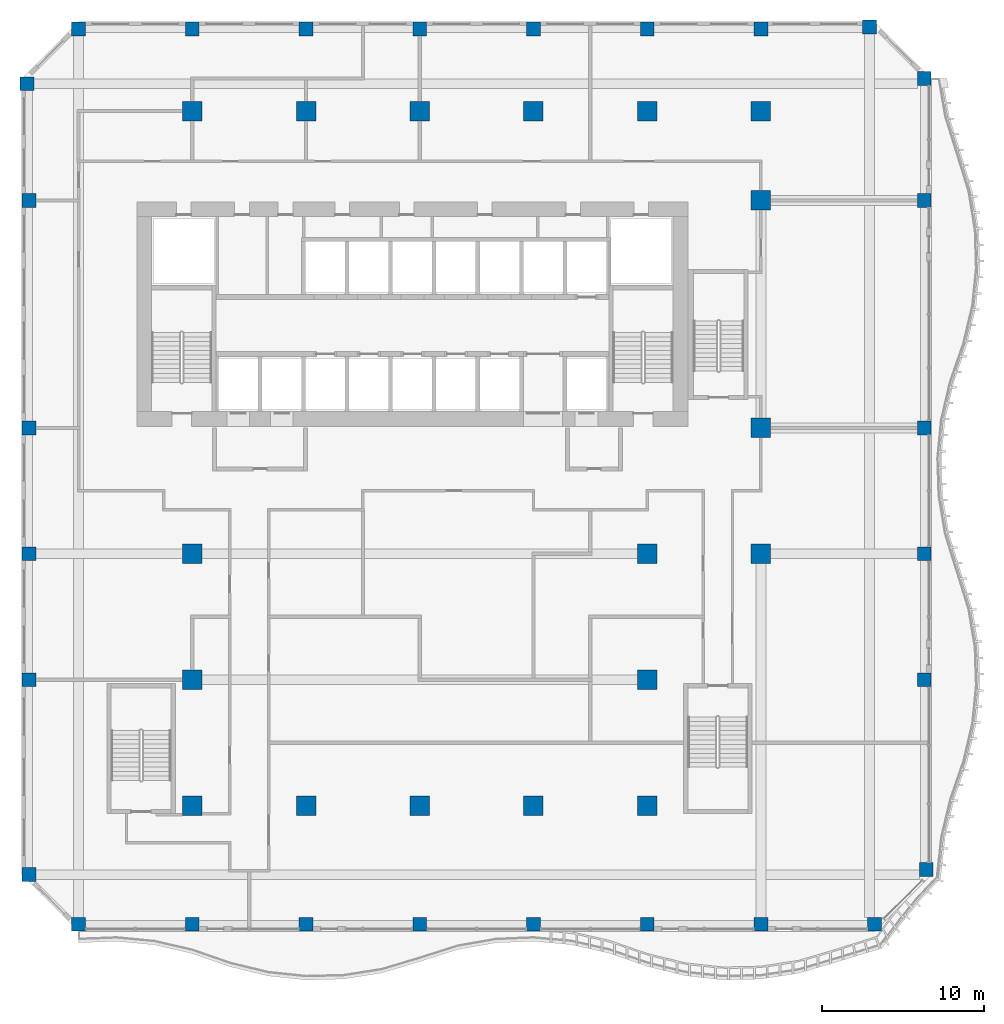
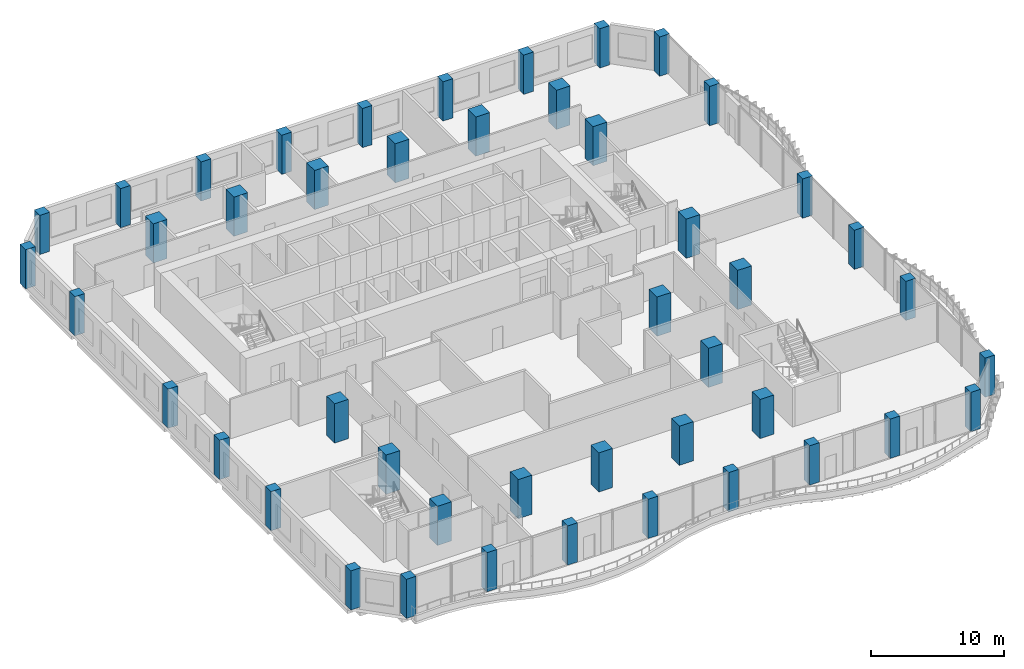
# One storey, part 1 of 19: 46 columns.
"""IFC4 building model written with IfcOpenShell, lengths in metres."""

from ifc_helpers import new_model, si_unit, direction, frame, origin, origin_2d, place, context, subcontext, project, spatial, rectangle, extrude, source, transform, mapped, material, material_profile, profile_set, type_object, element, save


model = new_model("IFC4")

# Units and contexts
model_context = context("Model", 3, precision=1e-05, world=origin(), true_north=direction((0.0, 1.0)))
body_context = subcontext(model_context, "Body", "Model", "MODEL_VIEW")
ifc_project = project(units=[si_unit("LENGTHUNIT", "METRE"), si_unit("AREAUNIT", "SQUARE_METRE"), si_unit("VOLUMEUNIT", "CUBIC_METRE"), si_unit("PLANEANGLEUNIT", "RADIAN"), si_unit("MASSUNIT", "GRAM", prefix="KILO")], contexts=[model_context])

# Site, building, storey
site_placement = place(None, origin())
site = spatial("IfcSite", under=ifc_project, at=site_placement, CompositionType="ELEMENT")
building_placement = place(site_placement, origin())
building = spatial("IfcBuilding", under=site, at=building_placement, Name="Kilnfold Tower and Market Hall", CompositionType="ELEMENT")
storey_placement = place(building_placement, frame((0.0, 0.0, 124.60009765625)))
storey = spatial("IfcBuildingStorey", under=building, at=storey_placement, Name="L29", CompositionType="ELEMENT", Elevation=124.60009765625)

# Columns
ifc_material_1 = material(Name="Concrete C80", Category="concrete")
ifc_material_profile_1 = material_profile(ifc_material_1, rectangle(XDim=0.85009765625, YDim=0.85009765625, at=origin_2d()), Name="RC 850x850")
ifc_profile_set_1 = profile_set([ifc_material_profile_1], Name="Concrete C80")
column_type_1 = type_object("IfcColumnType", Name="COLUMN 850X850 C80", PredefinedType="COLUMN", material=ifc_profile_set_1)
shared_shape_1 = source(origin(), body_context, "Body", "SweptSolid", [
    extrude(rectangle(XDim=0.85009765625, YDim=0.85009765625, at=origin_2d()), origin(), (0.0, 0.0, 1.0), 3.599853515625),
])
for number, where, z_axis, x_axis, name in (
    (1, (-22.681884765625, 29.181884765625, 0.0), (0.0, 0.0, 1.0), (1.0, 0.0, 0.0), "Column C-B3-1I"),
    (2, (-22.550048828125, -19.5, 0.0), (0.0, 0.0, 1.0), (1.0, 0.0, 0.0), "Column C-B3-1B"),
    (3, (-22.550048828125, -7.5, 0.0), (0.0, 0.0, 1.0), (1.0, 0.0, 0.0), "Column C-B3-1D"),
    (4, (-22.550048828125, 0.25, 0.0), (0.0, 0.0, 1.0), (1.0, 0.0, 0.0), "Column C-B3-1E"),
    (5, (-22.550048828125, 8.0, 0.0), (0.0, 0.0, 1.0), (1.0, 0.0, 0.0), "Column C-B3-1F"),
    (6, (-22.550048828125, 22.0, 0.0), (0.0, 0.0, 1.0), (1.0, 0.0, 0.0), "Column C-B3-1G"),
    (7, (-19.5, -22.550048828125, 0.0), (0.0, 0.0, 1.0), (1.0, 0.0, 0.0), "Column C-B3-2A"),
    (8, (-19.5, 32.550048828125, 0.0), (0.0, 0.0, 1.0), (1.0, 0.0, 0.0), "Column C-B3-2J"),
    (9, (-12.5, -22.550048828125, 0.0), (0.0, 0.0, 1.0), (1.0, 0.0, 0.0), "Column C-B3-3A"),
    (10, (-12.5, 32.550048828125, 0.0), (0.0, 0.0, 1.0), (1.0, 0.0, 0.0), "Column C-B3-3J"),
    (11, (-5.5, -22.550048828125, 0.0), (0.0, 0.0, 1.0), (1.0, 0.0, 0.0), "Column C-B3-4A"),
    (12, (-5.5, 32.550048828125, 0.0), (0.0, 0.0, 1.0), (1.0, 0.0, 0.0), "Column C-B3-4J"),
    (13, (1.5, -22.550048828125, 0.0), (0.0, 0.0, 1.0), (1.0, 0.0, 0.0), "Column C-B3-5A"),
    (14, (1.5, 32.550048828125, 0.0), (0.0, 0.0, 1.0), (1.0, 0.0, 0.0), "Column C-B3-5J"),
    (15, (8.5, -22.550048828125, 0.0), (0.0, 0.0, 1.0), (1.0, 0.0, 0.0), "Column C-B3-6A"),
    (16, (8.5, 32.550048828125, 0.0), (0.0, 0.0, 1.0), (1.0, 0.0, 0.0), "Column C-B3-6J"),
    (17, (15.5, -22.550048828125, 0.0), (0.0, 0.0, 1.0), (1.0, 0.0, 0.0), "Column C-B3-7A"),
    (18, (15.5, 32.550048828125, 0.0), (0.0, 0.0, 1.0), (1.0, 0.0, 0.0), "Column C-B3-7J"),
    (19, (22.5, -22.550048828125, 0.0), (0.0, 0.0, 1.0), (1.0, 0.0, 0.0), "Column C-B3-8A"),
    (20, (22.5, 32.550048828125, 0.0), (0.0, 0.0, 1.0), (1.0, 0.0, 0.0), "Column C-B3-8J"),
    (21, (29.181884765625, 32.681884765625, 0.0), (0.0, 0.0, 1.0), (1.0, 0.0, 0.0), "Column C-B3-9J"),
    (22, (29.5, -22.550048828125, 0.0), (0.0, 0.0, 1.0), (1.0, 0.0, 0.0), "Column C-B3-9A"),
    (23, (32.550048828125, -7.5, 0.0), (0.0, 0.0, 1.0), (1.0, 0.0, 0.0), "Column C-B3-10D"),
    (24, (32.550048828125, 0.25, 0.0), (0.0, 0.0, 1.0), (1.0, 0.0, 0.0), "Column C-B3-10E"),
    (25, (32.550048828125, 8.0, 0.0), (0.0, 0.0, 1.0), (1.0, 0.0, 0.0), "Column C-B3-10F"),
    (26, (32.550048828125, 22.0, 0.0), (0.0, 0.0, 1.0), (1.0, 0.0, 0.0), "Column C-B3-10G"),
    (27, (32.550048828125, 29.5, 0.0), (0.0, 0.0, 1.0), (1.0, 0.0, 0.0), "Column C-B3-10I"),
    (28, (32.681884765625, -19.181884765625, 0.0), (0.0, 0.0, 1.0), (1.0, 0.0, 0.0), "Column C-B3-10B"),
):
    element("IfcColumn", number, at=place(storey_placement, frame(where, z_axis=z_axis, x_axis=x_axis)), inside=storey, type_object=column_type_1, Name=name, PredefinedType="COLUMN", context=body_context, shape_type="MappedRepresentation", body=[
        mapped(shared_shape_1, transform((0.0, 0.0, 0.0))),
    ])
ifc_material_2 = material(Name="Concrete C80", Category="concrete")
ifc_material_profile_2 = material_profile(ifc_material_2, rectangle(XDim=1.199951171875, YDim=1.199951171875, at=origin_2d()), Name="RC 1200x1200")
ifc_profile_set_2 = profile_set([ifc_material_profile_2], Name="Concrete C80")
column_type_2 = type_object("IfcColumnType", Name="COLUMN 1200X1200 C80", PredefinedType="COLUMN", material=ifc_profile_set_2)
shared_shape_2 = source(origin(), body_context, "Body", "SweptSolid", [
    extrude(rectangle(XDim=1.199951171875, YDim=1.199951171875, at=origin_2d()), origin(), (0.0, 0.0, 1.0), 3.599853515625),
])
for number, where, z_axis, x_axis, name in (
    (29, (-12.5, -15.25, 0.0), (0.0, 0.0, 1.0), (1.0, 0.0, 0.0), "Column C-B3-3C"),
    (30, (-12.5, -7.5, 0.0), (0.0, 0.0, 1.0), (1.0, 0.0, 0.0), "Column C-B3-3D"),
    (31, (-12.5, 0.25, 0.0), (0.0, 0.0, 1.0), (1.0, 0.0, 0.0), "Column C-B3-3E"),
    (32, (-12.5, 27.5, 0.0), (0.0, 0.0, 1.0), (1.0, 0.0, 0.0), "Column C-B3-3H"),
    (33, (-5.5, -15.25, 0.0), (0.0, 0.0, 1.0), (1.0, 0.0, 0.0), "Column C-B3-4C"),
    (34, (-5.5, 27.5, 0.0), (0.0, 0.0, 1.0), (1.0, 0.0, 0.0), "Column C-B3-4H"),
    (35, (1.5, -15.25, 0.0), (0.0, 0.0, 1.0), (1.0, 0.0, 0.0), "Column C-B3-5C"),
    (36, (1.5, 27.5, 0.0), (0.0, 0.0, 1.0), (1.0, 0.0, 0.0), "Column C-B3-5H"),
    (37, (8.5, -15.25, 0.0), (0.0, 0.0, 1.0), (1.0, 0.0, 0.0), "Column C-B3-6C"),
    (38, (8.5, 27.5, 0.0), (0.0, 0.0, 1.0), (1.0, 0.0, 0.0), "Column C-B3-6H"),
    (39, (15.5, -15.25, 0.0), (0.0, 0.0, 1.0), (1.0, 0.0, 0.0), "Column C-B3-7C"),
    (40, (15.5, -7.5, 0.0), (0.0, 0.0, 1.0), (1.0, 0.0, 0.0), "Column C-B3-7D"),
    (41, (15.5, 0.25, 0.0), (0.0, 0.0, 1.0), (1.0, 0.0, 0.0), "Column C-B3-7E"),
    (42, (15.5, 27.5, 0.0), (0.0, 0.0, 1.0), (1.0, 0.0, 0.0), "Column C-B3-7H"),
    (43, (22.5, 0.25, 0.0), (0.0, 0.0, 1.0), (1.0, 0.0, 0.0), "Column C-B3-8E"),
    (44, (22.5, 8.0, 0.0), (0.0, 0.0, 1.0), (1.0, 0.0, 0.0), "Column C-B3-8F"),
    (45, (22.5, 22.0, 0.0), (0.0, 0.0, 1.0), (1.0, 0.0, 0.0), "Column C-B3-8G"),
    (46, (22.5, 27.5, 0.0), (0.0, 0.0, 1.0), (1.0, 0.0, 0.0), "Column C-B3-8H"),
):
    element("IfcColumn", number, at=place(storey_placement, frame(where, z_axis=z_axis, x_axis=x_axis)), inside=storey, type_object=column_type_2, Name=name, PredefinedType="COLUMN", context=body_context, shape_type="MappedRepresentation", body=[
        mapped(shared_shape_2, transform((0.0, 0.0, 0.0))),
    ])

save(model, "model.ifc")
